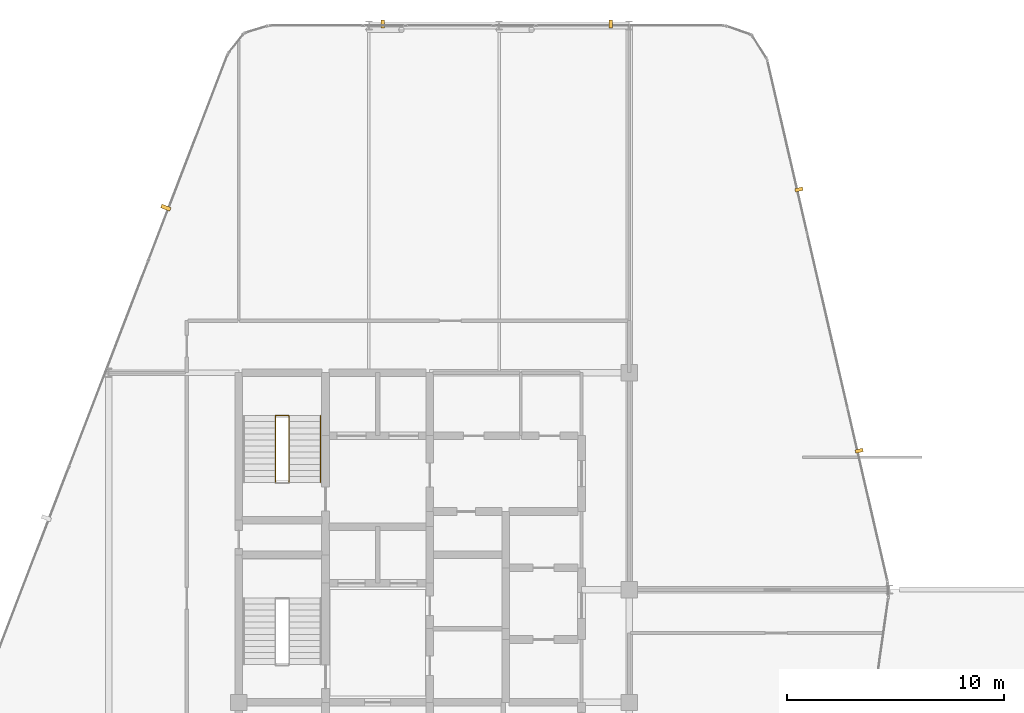
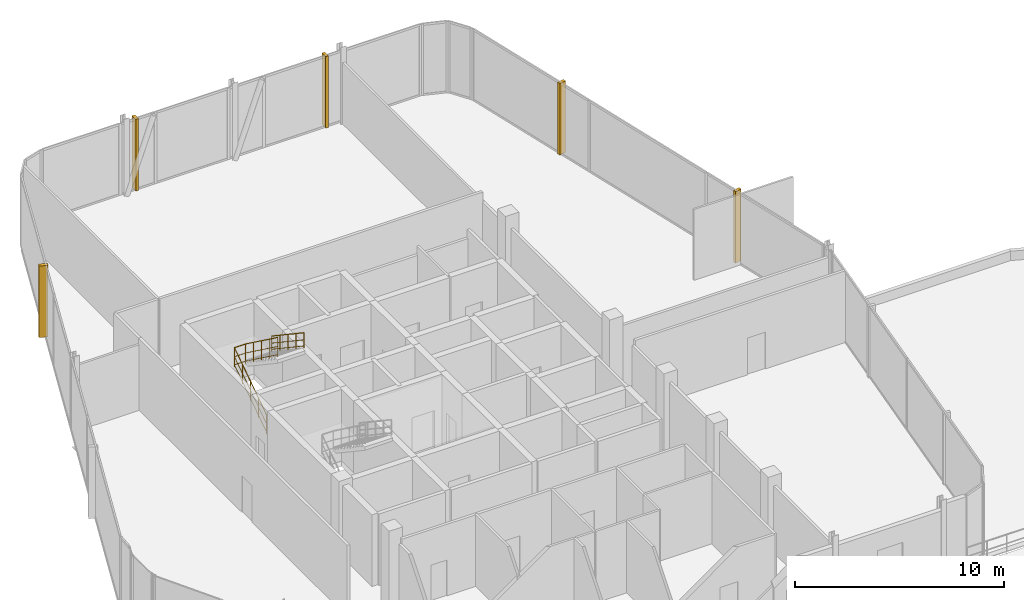
# One storey, part 24 of 24: 5 coverings, 2 railings.
"""IFC4 building model written with IfcOpenShell, lengths in metres."""

from ifc_helpers import new_model, si_unit, direction, frame, origin, origin_2d, place, context, subcontext, project, spatial, rectangle, circle, extrude, material, layer, layer_set, type_object, element, save


model = new_model("IFC4")

# Units and contexts
model_context = context("Model", 3, precision=1e-05, world=origin(), true_north=direction((0.0, 1.0)))
body_context = subcontext(model_context, "Body", "Model", "MODEL_VIEW")
ifc_project = project(units=[si_unit("LENGTHUNIT", "METRE"), si_unit("AREAUNIT", "SQUARE_METRE"), si_unit("VOLUMEUNIT", "CUBIC_METRE"), si_unit("PLANEANGLEUNIT", "RADIAN"), si_unit("MASSUNIT", "GRAM", prefix="KILO")], contexts=[model_context])

# Site, building, storey
site_placement = place(None, origin())
site = spatial("IfcSite", under=ifc_project, at=site_placement, CompositionType="ELEMENT")
building_placement = place(site_placement, origin())
building = spatial("IfcBuilding", under=site, at=building_placement, Name="Keshet Zoharim Tower", CompositionType="ELEMENT")
storey_placement = place(building_placement, frame((0.0, 0.0, 242.800048828125)))
storey = spatial("IfcBuildingStorey", under=building, at=storey_placement, Name="L60", CompositionType="ELEMENT", Elevation=242.800048828125)

# Coverings
ifc_material_1 = material(Name="Concrete C50/60 precast", Category="concrete")
covering_type_1 = type_object("IfcCoveringType", Name="FIN-SOL-360", PredefinedType="CLADDING", material=ifc_material_1)
for number, where, z_axis, x_axis, name in (
    (1, (21.633056640625, 53.97998046875, 0.0), (0.0, 0.0, 1.0), (1.0, 0.0, 0.0), "L60 Vertical Precast Solar Fin 03"),
    (2, (32.14990234375, 53.97998046875, 0.0), (0.0, 0.0, 1.0), (1.0, 0.0, 0.0), "L60 Vertical Precast Solar Fin 04"),
    (3, (40.824951171875, 46.345947265625, 0.0), (0.0, 0.0, 1.0), (0.224829963294, -0.974398012932, 0.0), "L60 Vertical Precast Solar Fin 05"),
    (4, (43.60400390625, 34.302001953125, 0.0), (0.0, 0.0, 1.0), (0.224829963294, -0.974398012932, 0.0), "L60 Vertical Precast Solar Fin 06"),
):
    element("IfcCovering", number, at=place(storey_placement, frame(where, z_axis=z_axis, x_axis=x_axis)), inside=storey, type_object=covering_type_1, Name=name, PredefinedType="CLADDING", context=body_context, shape_type="SweptSolid", body=[
        extrude(rectangle(XDim=0.159912109375, YDim=0.360107421875, at=origin_2d()), origin(), (0.0, 0.0, 1.0), 4.18994140625),
    ])
covering_type_2 = type_object("IfcCoveringType", Name="FIN-SOL-450", PredefinedType="CLADDING", material=ifc_material_1)
covering_placement = place(storey_placement, frame((11.637939453125, 45.507080078125, 0.0), z_axis=(0.0, 0.0, 1.0), x_axis=(0.358990003907, 0.933341404361, 0.0)))
element("IfcCovering", 5, at=covering_placement, inside=storey, type_object=covering_type_2, Name="L60 Vertical Precast Solar Fin 02", PredefinedType="CLADDING", context=body_context, shape_type="SweptSolid", body=[
    extrude(rectangle(XDim=0.179931640625, YDim=0.449951171875, at=origin_2d()), origin(), (0.0, 0.0, 1.0), 4.18994140625),
])

# Railings
ifc_material_2 = material(Name="Steel S355", Category="steel")
ifc_layer_1 = layer(ifc_material_2, 0.050048828125)
ifc_layer_set_1 = layer_set([ifc_layer_1], Name="Steel S355")
railing_type_1 = type_object("IfcRailingType", Name="RL-HND-092", PredefinedType="HANDRAIL", material=ifc_layer_set_1)
railing_1_placement = place(storey_placement, frame((18.760009765625, 35.919921875, 2.4375)))
element("IfcRailing", 6, at=railing_1_placement, inside=storey, type_object=railing_type_1, Name="L60 ST-02 Flight 2 Wall Handrail", PredefinedType="HANDRAIL", context=body_context, shape_type="SweptSolid", body=[
    extrude(circle(Radius=0.02392578125, at=origin_2d()), frame((0.0, 0.0, 0.89599609375), z_axis=(0.0, -0.830893310487, 0.556431762742), x_axis=(1.0, 0.0, 0.0)), (0.0, 0.0, 1.0), 3.70654296875),
    extrude(circle(Radius=0.01611328125, at=origin_2d()), frame((0.0, 0.0, 0.478271484375), z_axis=(0.0, -0.830893310487, 0.556431762742), x_axis=(1.0, 0.0, 0.0)), (0.0, 0.0, 1.0), 3.70654296875),
    extrude(circle(Radius=0.01611328125, at=origin_2d()), frame((0.0, 0.0, 0.1201171875), z_axis=(0.0, -0.830893310487, 0.556431762742), x_axis=(1.0, 0.0, 0.0)), (0.0, 0.0, 1.0), 3.70654296875),
    extrude(circle(Radius=0.02099609375, at=origin_2d()), origin(), (0.0, 0.0, 1.0), 0.871826171875),
    extrude(circle(Radius=0.02099609375, at=origin_2d()), frame((0.0, -0.77001953125, 0.515625)), (0.0, 0.0, 1.0), 0.871826171875),
    extrude(circle(Radius=0.02099609375, at=origin_2d()), frame((0.0, -1.5400390625, 1.03125)), (0.0, 0.0, 1.0), 0.871826171875),
    extrude(circle(Radius=0.02099609375, at=origin_2d()), frame((0.0, -2.309814453125, 1.546875)), (0.0, 0.0, 1.0), 0.871826171875),
    extrude(circle(Radius=0.02099609375, at=origin_2d()), frame((0.0, -3.079833984375, 2.0625)), (0.0, 0.0, 1.0), 0.871826171875),
])
ifc_layer_2 = layer(ifc_material_2, 0.06005859375)
ifc_layer_set_2 = layer_set([ifc_layer_2], Name="Steel S355")
railing_type_2 = type_object("IfcRailingType", Name="RL-STG-115", PredefinedType="GUARDRAIL", material=ifc_layer_set_2)
railing_2_placement = place(storey_placement, frame((16.68994140625, 32.840087890625, 0.1875)))
element("IfcRailing", 7, at=railing_2_placement, inside=storey, type_object=railing_type_2, Name="L60 ST-02 Inner Well Guardrail", PredefinedType="GUARDRAIL", context=body_context, shape_type="SweptSolid", body=[
    extrude(circle(Radius=0.02392578125, at=origin_2d()), frame((0.0, 0.0, 1.1259765625), z_axis=(0.0, 0.830893310487, 0.556431762742), x_axis=(-1.0, 0.0, 0.0)), (0.0, 0.0, 1.0), 3.70654296875),
    extrude(circle(Radius=0.01611328125, at=origin_2d()), frame((0.0, 0.0, 0.597900390625), z_axis=(0.0, 0.830893310487, 0.556431762742), x_axis=(-1.0, 0.0, 0.0)), (0.0, 0.0, 1.0), 3.70654296875),
    extrude(circle(Radius=0.01611328125, at=origin_2d()), frame((0.0, 0.0, 0.1201171875), z_axis=(0.0, 0.830893310487, 0.556431762742), x_axis=(-1.0, 0.0, 0.0)), (0.0, 0.0, 1.0), 3.70654296875),
    extrude(circle(Radius=0.02392578125, at=origin_2d()), frame((0.0, 3.079833984375, 3.1884765625), z_axis=(1.0, 0.0, 0.0), x_axis=(0.0, 1.0, 0.0)), (0.0, 0.0, 1.0), 0.6201171875),
    extrude(circle(Radius=0.01611328125, at=origin_2d()), frame((0.0, 3.079833984375, 2.660400390625), z_axis=(1.0, 0.0, 0.0), x_axis=(0.0, 1.0, 0.0)), (0.0, 0.0, 1.0), 0.6201171875),
    extrude(circle(Radius=0.01611328125, at=origin_2d()), frame((0.0, 3.079833984375, 2.1826171875), z_axis=(1.0, 0.0, 0.0), x_axis=(0.0, 1.0, 0.0)), (0.0, 0.0, 1.0), 0.6201171875),
    extrude(circle(Radius=0.02392578125, at=origin_2d()), frame((0.6201171875, 3.079833984375, 3.1884765625), z_axis=(0.0, -0.80747203621, 0.589905849046), x_axis=(1.0, 0.0, 0.0)), (0.0, 0.0, 1.0), 3.814208984375),
    extrude(circle(Radius=0.01611328125, at=origin_2d()), frame((0.6201171875, 3.079833984375, 2.660400390625), z_axis=(0.0, -0.80747203621, 0.589905849046), x_axis=(1.0, 0.0, 0.0)), (0.0, 0.0, 1.0), 3.814208984375),
    extrude(circle(Radius=0.01611328125, at=origin_2d()), frame((0.6201171875, 3.079833984375, 2.1826171875), z_axis=(0.0, -0.80747203621, 0.589905849046), x_axis=(1.0, 0.0, 0.0)), (0.0, 0.0, 1.0), 3.814208984375),
    extrude(circle(Radius=0.02099609375, at=origin_2d()), origin(), (0.0, 0.0, 1.0), 1.101806640625),
    extrude(circle(Radius=0.02099609375, at=origin_2d()), frame((0.0, 0.77001953125, 0.515625)), (0.0, 0.0, 1.0), 1.101806640625),
    extrude(circle(Radius=0.02099609375, at=origin_2d()), frame((0.0, 1.5400390625, 1.03125)), (0.0, 0.0, 1.0), 1.101806640625),
    extrude(circle(Radius=0.02099609375, at=origin_2d()), frame((0.0, 2.309814453125, 1.546875)), (0.0, 0.0, 1.0), 1.101806640625),
    extrude(circle(Radius=0.02099609375, at=origin_2d()), frame((0.0, 3.079833984375, 2.0625)), (0.0, 0.0, 1.0), 1.101806640625),
    extrude(circle(Radius=0.02099609375, at=origin_2d()), frame((0.6201171875, 3.079833984375, 2.0625)), (0.0, 0.0, 1.0), 1.101806640625),
    extrude(circle(Radius=0.02099609375, at=origin_2d()), frame((0.6201171875, 2.309814453125, 2.625)), (0.0, 0.0, 1.0), 1.101806640625),
    extrude(circle(Radius=0.02099609375, at=origin_2d()), frame((0.6201171875, 1.5400390625, 3.1875)), (0.0, 0.0, 1.0), 1.101806640625),
    extrude(circle(Radius=0.02099609375, at=origin_2d()), frame((0.6201171875, 0.77001953125, 3.75)), (0.0, 0.0, 1.0), 1.101806640625),
    extrude(circle(Radius=0.02099609375, at=origin_2d()), frame((0.6201171875, 0.0, 4.3125)), (0.0, 0.0, 1.0), 1.101806640625),
])

save(model, "model.ifc")
